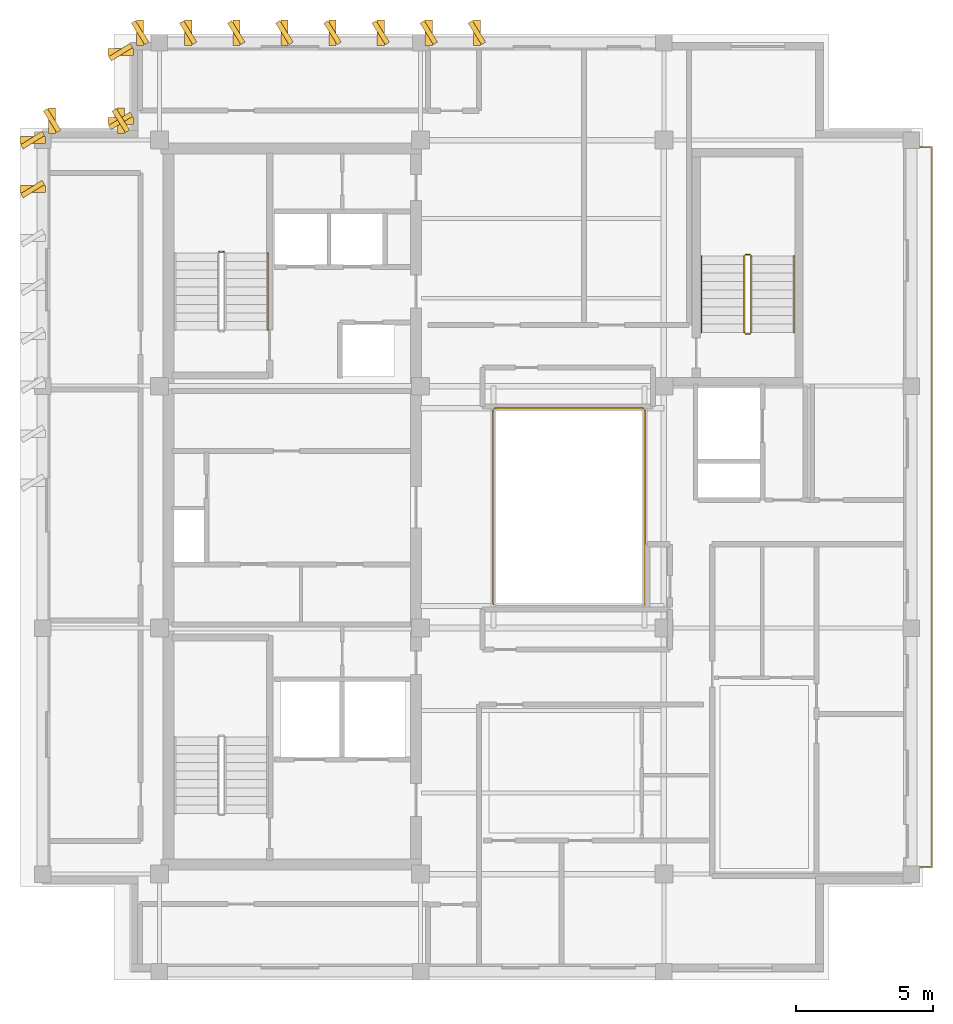
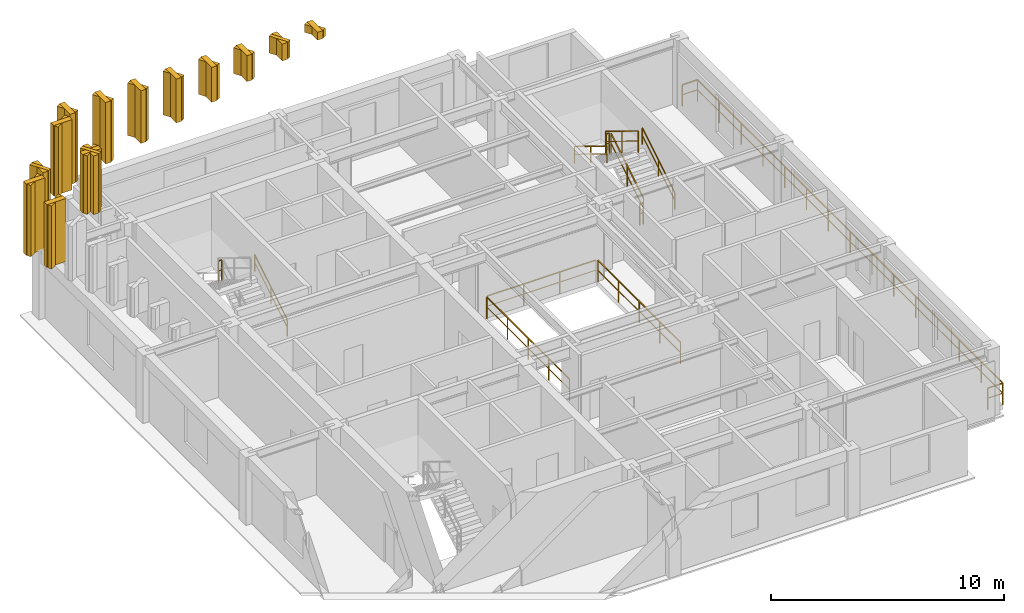
# One storey, part 9 of 9: 14 coverings, 14 shading devices, 12 railings.
"""IFC4 building model written with IfcOpenShell, lengths in metres."""

import ifcopenshell
import ifcopenshell.guid

model = None  # the IFC model being written
_history = None  # IfcOwnerHistory: only IFC2X3 demands one
_inside = {}  # id of a spatial element -> (the spatial element, [elements in it])
_under = {}  # id of a project, library or spatial element -> (it, [spatial elements below it])
_declared = {}  # id of a project -> (the project, [libraries it declares])
_typed = {}  # id of a type object -> (the type object, [elements of that type])
_made_of = {}  # id of a material, layer set ... -> (it, [elements and type objects made of it])


def new_model(schema):
    """Start an empty IFC model of exactly this schema.

    Asked for "IFC4X3", IfcOpenShell would pick the latest addendum, in which some entities
    have other attributes; the version numbers below select the first issue.
    IFC2X3 requires an IfcOwnerHistory on every rooted entity: one is made here for all.
    """
    global model, _history
    if schema == "IFC4X3":
        model = ifcopenshell.file(schema_version=(4, 3, 0, 0))
    else:
        model = ifcopenshell.file(schema=schema)
    _inside.clear()
    _under.clear()
    _declared.clear()
    _typed.clear()
    _made_of.clear()
    _history = None
    if model.schema == "IFC2X3":
        org = make("IfcOrganization", Name="unknown")
        user = make(
            "IfcPersonAndOrganization",
            ThePerson=make("IfcPerson", FamilyName="unknown"),
            TheOrganization=org,
        )
        app = make(
            "IfcApplication",
            ApplicationDeveloper=org,
            Version="unknown",
            ApplicationFullName="unknown",
            ApplicationIdentifier="unknown",
        )
        _history = make(
            "IfcOwnerHistory",
            OwningUser=user,
            OwningApplication=app,
            ChangeAction="ADDED",
            CreationDate=0,
        )
    return model


def make(cls, **values):
    """One entity of the class cls with the attributes given. An attribute that is None is left unset."""
    return model.create_entity(
        cls, **{name: value for name, value in values.items() if value is not None}
    )


def rooted(cls, **values):
    """An entity with a GlobalId (a new one), such as an element, a storey or a relation."""
    return make(cls, GlobalId=ifcopenshell.guid.new(), OwnerHistory=_history, **values)


def si_unit(unit_type, name, prefix=None):
    """IfcSIUnit, for example si_unit("LENGTHUNIT", "METRE", prefix="MILLI")."""
    return make("IfcSIUnit", UnitType=unit_type, Prefix=prefix, Name=name)


def assignment(units):
    """IfcUnitAssignment: the units of a project."""
    return None if units is None else make("IfcUnitAssignment", Units=units)


def point(xyz):
    """IfcCartesianPoint."""
    return None if xyz is None else make("IfcCartesianPoint", Coordinates=xyz)


def direction(xyz):
    """IfcDirection."""
    return None if xyz is None else make("IfcDirection", DirectionRatios=xyz)


def frame(location, z_axis=None, x_axis=None):
    """IfcAxis2Placement3D, a coordinate frame: its origin and axes. An axis left out is left unset."""
    return make(
        "IfcAxis2Placement3D",
        Location=point(location),
        Axis=direction(z_axis),
        RefDirection=direction(x_axis),
    )


def frame_2d(location, x_axis=None):
    """IfcAxis2Placement2D, a coordinate frame in the plane: its origin and x axis."""
    return make(
        "IfcAxis2Placement2D", Location=point(location), RefDirection=direction(x_axis)
    )


def origin():
    """The frame at (0, 0, 0) with its axes left unset."""
    return frame((0.0, 0.0, 0.0))


def origin_2d():
    """The frame at (0, 0) in the plane with its x axis left unset."""
    return frame_2d((0.0, 0.0))


def place(relative_to, where):
    """IfcLocalPlacement: puts the frame where relative to a parent placement (None: the world)."""
    return make(
        "IfcLocalPlacement", PlacementRelTo=relative_to, RelativePlacement=where
    )


def context(
    kind, dimensions, precision=None, world=None, true_north=None, identifier=None
):
    """IfcGeometricRepresentationContext, for example the 3D "Model" context."""
    return make(
        "IfcGeometricRepresentationContext",
        ContextIdentifier=identifier,
        ContextType=kind,
        CoordinateSpaceDimension=dimensions,
        Precision=precision,
        WorldCoordinateSystem=world,
        TrueNorth=true_north,
    )


def subcontext(parent, identifier, kind, view, scale=None):
    """IfcGeometricRepresentationSubContext, for example "Body" below "Model"."""
    return make(
        "IfcGeometricRepresentationSubContext",
        ContextIdentifier=identifier,
        ContextType=kind,
        ParentContext=parent,
        TargetScale=scale,
        TargetView=view,
    )


def project(units=None, contexts=None):
    """IfcProject with its units and contexts."""
    return rooted(
        "IfcProject",
        Name="project",
        RepresentationContexts=contexts,
        UnitsInContext=assignment(units),
    )


def spatial(cls, under=None, at=None, **own):
    """A site, building, storey or space (cls), placed at a placement, below another one or the project."""
    s = rooted(cls, ObjectPlacement=at, **own)
    if under is not None:
        _under.setdefault(under.id(), (under, []))[1].append(s)
    return s


def polyline(points):
    """IfcPolyline through the points."""
    return make("IfcPolyline", Points=[point(p) for p in points])


def profile(cls, at=None, kind="AREA", **sizes):
    """A parametric profile (cls). Its sizes go by their IFC names, for example OverallWidth=200.0."""
    return make(cls, ProfileType=kind, Position=at, **sizes)


def rectangle(**sizes):
    """IfcRectangleProfileDef."""
    return profile("IfcRectangleProfileDef", **sizes)


def outline(outer, holes=None, kind="AREA"):
    """IfcArbitraryClosedProfileDef: a profile drawn as a closed curve; with holes, ...WithVoids."""
    if holes is None:
        return make("IfcArbitraryClosedProfileDef", ProfileType=kind, OuterCurve=outer)
    return make(
        "IfcArbitraryProfileDefWithVoids",
        ProfileType=kind,
        OuterCurve=outer,
        InnerCurves=holes,
    )


def extrude(swept, where, along, depth):
    """IfcExtrudedAreaSolid: the profile swept, set in the frame where, extruded along a direction by depth."""
    return make(
        "IfcExtrudedAreaSolid",
        SweptArea=swept,
        Position=where,
        ExtrudedDirection=direction(along),
        Depth=depth,
    )


def shape(context_of_items, identifier, shape_type, items):
    """IfcShapeRepresentation: the items that make up one representation, for example the "Body"."""
    return make(
        "IfcShapeRepresentation",
        ContextOfItems=context_of_items,
        RepresentationIdentifier=identifier,
        RepresentationType=shape_type,
        Items=items,
    )


def material(Name=None, Category=None):
    """IfcMaterial."""
    return make("IfcMaterial", Name=Name, Category=Category)


def layer(
    of_material, thickness, ventilated=None, Name=None, Category=None, Priority=None
):
    """IfcMaterialLayer: one layer of a wall or slab, of a material (None: an air gap)."""
    return make(
        "IfcMaterialLayer",
        Material=of_material,
        LayerThickness=thickness,
        IsVentilated=ventilated,
        Name=Name,
        Category=Category,
        Priority=Priority,
    )


def layer_set(layers, Name=None):
    """IfcMaterialLayerSet."""
    return make("IfcMaterialLayerSet", MaterialLayers=layers, LayerSetName=Name)


def made_of(thing, what):
    """Note that an element or type object is made of a material, layer set ...; save() writes the relation."""
    if what is not None:
        _made_of.setdefault(what.id(), (what, []))[1].append(thing)
    return thing


def type_object(cls, material=None, **own):
    """A type object (cls), such as IfcWallType, which elements share."""
    return made_of(rooted(cls, **own), material)


def element(
    cls,
    number,
    at=None,
    inside=None,
    cuts=None,
    type_object=None,
    material=None,
    context=None,
    identifier="Body",
    shape_type=None,
    held_by="IfcProductDefinitionShape",
    body=None,
    shapes=None,
    **own,
):
    """One element of the class cls, such as IfcWall. Its Tag is "e" and its number.

    at: its placement. inside: the storey or other place that contains it. cuts: it is an
    opening in that element (IfcRelVoidsElement). A single representation is given by context,
    identifier, shape_type and body (its items); several are given by shapes. held_by: the class
    of the entity that holds the representations. save() writes the other relations.
    """
    e = rooted(cls, Tag="e%d" % number, ObjectPlacement=at, **own)
    if body is not None:
        shapes = [shape(context, identifier, shape_type, body)]
    if shapes is not None:
        e.Representation = make(held_by, Representations=shapes)
    if inside is not None:
        _inside.setdefault(inside.id(), (inside, []))[1].append(e)
    if cuts is not None:
        rooted(
            "IfcRelVoidsElement", RelatingBuildingElement=cuts, RelatedOpeningElement=e
        )
    if type_object is not None:
        _typed.setdefault(type_object.id(), (type_object, []))[1].append(e)
    return made_of(e, material)


def aggregate(whole, parts):
    """IfcRelAggregates: a whole, such as a stair, and the parts it consists of."""
    return rooted("IfcRelAggregates", RelatingObject=whole, RelatedObjects=parts)


def save(model, path):
    """Write the relations noted so far, then the file.

    IfcRelAggregates (storeys below a building ...), IfcRelContainedInSpatialStructure (elements
    in a storey), IfcRelDefinesByType, IfcRelAssociatesMaterial and IfcRelDeclares: one each for
    every whole, place, type object, material and project.
    """
    for whole, parts in _under.values():
        aggregate(whole, parts)
    for where, things in _inside.values():
        rooted(
            "IfcRelContainedInSpatialStructure",
            RelatedElements=things,
            RelatingStructure=where,
        )
    for kind, things in _typed.values():
        rooted("IfcRelDefinesByType", RelatedObjects=things, RelatingType=kind)
    for what, things in _made_of.values():
        rooted("IfcRelAssociatesMaterial", RelatedObjects=things, RelatingMaterial=what)
    for by, libraries in _declared.values():
        rooted("IfcRelDeclares", RelatingContext=by, RelatedDefinitions=libraries)
    model.write(path)


model = new_model("IFC4")

# Units and contexts
model_context = context("Model", 3, precision=1e-05, world=origin(), true_north=direction((0.0, 1.0)))
body_context = subcontext(model_context, "Body", "Model", "MODEL_VIEW")
ifc_project = project(units=[si_unit("LENGTHUNIT", "METRE"), si_unit("AREAUNIT", "SQUARE_METRE"), si_unit("VOLUMEUNIT", "CUBIC_METRE"), si_unit("PLANEANGLEUNIT", "RADIAN"), si_unit("MASSUNIT", "GRAM", prefix="KILO")], contexts=[model_context])

# Site, building, storey
site_placement = place(None, origin())
site = spatial("IfcSite", under=ifc_project, at=site_placement, CompositionType="ELEMENT")
building_placement = place(site_placement, origin())
building = spatial("IfcBuilding", under=site, at=building_placement, Name="Kundavana Baori Tower", CompositionType="ELEMENT")
storey_placement = place(building_placement, frame((0.0, 0.0, 342.89990234375)))
storey = spatial("IfcBuildingStorey", under=building, at=storey_placement, Name="L85", CompositionType="ELEMENT", Elevation=342.89990234375)

# Coverings
ifc_material_1 = material(Name="Cream-White Makrana Limestone on Concrete C40/50", Category="masonry")
ifc_layer = layer(ifc_material_1, 0.239990234375, Name="COV-SAIL-FIN")
ifc_layer_set = layer_set([ifc_layer], Name="Cream-White Makrana Limestone on Concrete C40/50")
covering_type = type_object("IfcCoveringType", Name="COV-SAIL-FIN", PredefinedType="CLADDING", material=ifc_layer_set)
covering_1_placement = place(storey_placement, frame((0.0, 0.0, 6.786865234375)))
element("IfcCovering", 1, at=covering_1_placement, inside=storey, type_object=covering_type, Name="L85 Climbing Makrana White Limestone Sail Fin 047", PredefinedType="CLADDING", context=body_context, shape_type="SweptSolid", body=[
    extrude(outline(polyline([(26.8701171875, 45.39990234375), (27.1298828125, 45.39990234375), (27.1298828125, 46.320068359375), (26.8701171875, 46.320068359375), (26.8701171875, 45.39990234375)])), origin(), (0.0, 0.0, 1.0), 0.413330078125),
])
covering_2_placement = place(storey_placement, frame((0.0, 0.0, 6.313720703125)))
element("IfcCovering", 2, at=covering_2_placement, inside=storey, type_object=covering_type, Name="L85 Climbing Makrana White Limestone Sail Fin 048", PredefinedType="CLADDING", context=body_context, shape_type="SweptSolid", body=[
    extrude(outline(polyline([(25.1201171875, 45.39990234375), (25.3798828125, 45.39990234375), (25.3798828125, 46.320068359375), (25.1201171875, 46.320068359375), (25.1201171875, 45.39990234375)])), origin(), (0.0, 0.0, 1.0), 0.886474609375),
])
covering_3_placement = place(storey_placement, frame((0.0, 0.0, 5.84326171875)))
element("IfcCovering", 3, at=covering_3_placement, inside=storey, type_object=covering_type, Name="L85 Climbing Makrana White Limestone Sail Fin 049", PredefinedType="CLADDING", context=body_context, shape_type="SweptSolid", body=[
    extrude(outline(polyline([(23.3701171875, 45.39990234375), (23.6298828125, 45.39990234375), (23.6298828125, 46.320068359375), (23.3701171875, 46.320068359375), (23.3701171875, 45.39990234375)])), origin(), (0.0, 0.0, 1.0), 1.35693359375),
])
covering_4_placement = place(storey_placement, frame((0.0, 0.0, 5.375244140625)))
element("IfcCovering", 4, at=covering_4_placement, inside=storey, type_object=covering_type, Name="L85 Climbing Makrana White Limestone Sail Fin 050", PredefinedType="CLADDING", context=body_context, shape_type="SweptSolid", body=[
    extrude(outline(polyline([(21.6201171875, 45.39990234375), (21.8798828125, 45.39990234375), (21.8798828125, 46.320068359375), (21.6201171875, 46.320068359375), (21.6201171875, 45.39990234375)])), origin(), (0.0, 0.0, 1.0), 1.824951171875),
])
covering_5_placement = place(storey_placement, frame((0.0, 0.0, 4.90966796875)))
element("IfcCovering", 5, at=covering_5_placement, inside=storey, type_object=covering_type, Name="L85 Climbing Makrana White Limestone Sail Fin 051", PredefinedType="CLADDING", context=body_context, shape_type="SweptSolid", body=[
    extrude(outline(polyline([(19.8701171875, 45.39990234375), (20.1298828125, 45.39990234375), (20.1298828125, 46.320068359375), (19.8701171875, 46.320068359375), (19.8701171875, 45.39990234375)])), origin(), (0.0, 0.0, 1.0), 2.29052734375),
])
covering_6_placement = place(storey_placement, frame((0.0, 0.0, 4.446044921875)))
element("IfcCovering", 6, at=covering_6_placement, inside=storey, type_object=covering_type, Name="L85 Climbing Makrana White Limestone Sail Fin 052", PredefinedType="CLADDING", context=body_context, shape_type="SweptSolid", body=[
    extrude(outline(polyline([(18.1201171875, 45.39990234375), (18.3798828125, 45.39990234375), (18.3798828125, 46.320068359375), (18.1201171875, 46.320068359375), (18.1201171875, 45.39990234375)])), origin(), (0.0, 0.0, 1.0), 2.754150390625),
])
covering_7_placement = place(storey_placement, frame((0.0, 0.0, 3.98486328125)))
element("IfcCovering", 7, at=covering_7_placement, inside=storey, type_object=covering_type, Name="L85 Climbing Makrana White Limestone Sail Fin 053", PredefinedType="CLADDING", context=body_context, shape_type="SweptSolid", body=[
    extrude(outline(polyline([(16.3701171875, 45.39990234375), (16.6298828125, 45.39990234375), (16.6298828125, 46.320068359375), (16.3701171875, 46.320068359375), (16.3701171875, 45.39990234375)])), origin(), (0.0, 0.0, 1.0), 3.21533203125),
])
covering_8_placement = place(storey_placement, frame((0.0, 0.0, 3.525634765625)))
element("IfcCovering", 8, at=covering_8_placement, inside=storey, type_object=covering_type, Name="L85 Climbing Makrana White Limestone Sail Fin 054", PredefinedType="CLADDING", context=body_context, shape_type="SweptSolid", body=[
    extrude(outline(polyline([(14.6201171875, 45.39990234375), (14.8798828125, 45.39990234375), (14.8798828125, 46.320068359375), (14.6201171875, 46.320068359375), (14.6201171875, 45.39990234375)])), origin(), (0.0, 0.0, 1.0), 3.674560546875),
])
covering_9_placement = place(storey_placement, frame((0.0, 0.0, 3.51953125)))
element("IfcCovering", 9, at=covering_9_placement, inside=storey, type_object=covering_type, Name="L85 Climbing Makrana White Limestone Sail Fin 055", PredefinedType="CLADDING", context=body_context, shape_type="SweptSolid", body=[
    extrude(outline(polyline([(13.580078125, 45.02001953125), (14.5, 45.02001953125), (14.5, 45.280029296875), (13.580078125, 45.280029296875), (13.580078125, 45.02001953125)])), origin(), (0.0, 0.0, 1.0), 3.6806640625),
])
covering_10_placement = place(storey_placement, frame((0.0, 0.0, 4.13330078125)))
element("IfcCovering", 10, at=covering_10_placement, inside=storey, type_object=covering_type, Name="L85 Climbing Makrana White Limestone Sail Fin 056", PredefinedType="CLADDING", context=body_context, shape_type="SweptSolid", body=[
    extrude(outline(polyline([(13.580078125, 42.52001953125), (14.5, 42.52001953125), (14.5, 42.780029296875), (13.580078125, 42.780029296875), (13.580078125, 42.52001953125)])), origin(), (0.0, 0.0, 1.0), 3.06689453125),
])
covering_11_placement = place(storey_placement, frame((0.0, 0.0, 4.12744140625)))
element("IfcCovering", 11, at=covering_11_placement, inside=storey, type_object=covering_type, Name="L85 Climbing Makrana White Limestone Sail Fin 057", PredefinedType="CLADDING", context=body_context, shape_type="SweptSolid", body=[
    extrude(outline(polyline([(13.919921875, 42.199951171875), (14.179931640625, 42.199951171875), (14.179931640625, 43.1201171875), (13.919921875, 43.1201171875), (13.919921875, 42.199951171875)])), origin(), (0.0, 0.0, 1.0), 3.07275390625),
])
covering_12_placement = place(storey_placement, frame((0.0, 0.0, 3.470947265625)))
element("IfcCovering", 12, at=covering_12_placement, inside=storey, type_object=covering_type, Name="L85 Climbing Makrana White Limestone Sail Fin 058", PredefinedType="CLADDING", context=body_context, shape_type="SweptSolid", body=[
    extrude(outline(polyline([(11.419921875, 42.199951171875), (11.679931640625, 42.199951171875), (11.679931640625, 43.1201171875), (11.419921875, 43.1201171875), (11.419921875, 42.199951171875)])), origin(), (0.0, 0.0, 1.0), 3.729248046875),
])
covering_13_placement = place(storey_placement, frame((0.0, 0.0, 3.465087890625)))
element("IfcCovering", 13, at=covering_13_placement, inside=storey, type_object=covering_type, Name="L85 Climbing Makrana White Limestone Sail Fin 059", PredefinedType="CLADDING", context=body_context, shape_type="SweptSolid", body=[
    extrude(outline(polyline([(10.3798828125, 41.820068359375), (11.300048828125, 41.820068359375), (11.300048828125, 42.080078125), (10.3798828125, 42.080078125), (10.3798828125, 41.820068359375)])), origin(), (0.0, 0.0, 1.0), 3.735107421875),
])
covering_14_placement = place(storey_placement, frame((0.0, 0.0, 3.901611328125)))
element("IfcCovering", 14, at=covering_14_placement, inside=storey, type_object=covering_type, Name="L85 Climbing Makrana White Limestone Sail Fin 060", PredefinedType="CLADDING", context=body_context, shape_type="SweptSolid", body=[
    extrude(outline(polyline([(10.3798828125, 40.0400390625), (11.300048828125, 40.0400390625), (11.300048828125, 40.300048828125), (10.3798828125, 40.300048828125), (10.3798828125, 40.0400390625)])), origin(), (0.0, 0.0, 1.0), 3.298583984375),
])

# Railings
ifc_material_2 = material(Name="Architectural Patinated Bronze Metalwork")
railing_type_1 = type_object("IfcRailingType", Name="RL-BAL-1150", PredefinedType="BALUSTRADE", material=ifc_material_2)
railing_1_placement = place(storey_placement, frame((42.800048828125, 41.699951171875, 0.0)))
element("IfcRailing", 15, at=railing_1_placement, inside=storey, type_object=railing_type_1, Name="L85 Sky Terrace Guard Balustrade E", PredefinedType="BALUSTRADE", context=body_context, shape_type="SweptSolid", body=[
    extrude(rectangle(XDim=0.048095703125, YDim=0.048095703125, at=origin_2d()), frame((0.0, 0.0, 1.1259765625), z_axis=(1.0, 0.0, 0.0), x_axis=(0.0, 1.0, 0.0)), (0.0, 0.0, 1.0), 0.75),
    extrude(rectangle(XDim=0.03125, YDim=0.03125, at=origin_2d()), frame((0.0, 0.0, 0.597900390625), z_axis=(1.0, 0.0, 0.0), x_axis=(0.0, 1.0, 0.0)), (0.0, 0.0, 1.0), 0.75),
    extrude(rectangle(XDim=0.048095703125, YDim=0.048095703125, at=origin_2d()), frame((0.75, 0.0, 1.1259765625), z_axis=(0.0, -1.0, 0.0), x_axis=(1.0, 0.0, 0.0)), (0.0, 0.0, 1.0), 26.199951171875),
    extrude(rectangle(XDim=0.03125, YDim=0.03125, at=origin_2d()), frame((0.75, 0.0, 0.597900390625), z_axis=(0.0, -1.0, 0.0), x_axis=(1.0, 0.0, 0.0)), (0.0, 0.0, 1.0), 26.199951171875),
    extrude(rectangle(XDim=0.048095703125, YDim=0.048095703125, at=origin_2d()), frame((0.75, -26.199951171875, 1.1259765625), z_axis=(-1.0, 0.0, 0.0), x_axis=(0.0, -1.0, 0.0)), (0.0, 0.0, 1.0), 0.75),
    extrude(rectangle(XDim=0.03125, YDim=0.03125, at=origin_2d()), frame((0.75, -26.199951171875, 0.597900390625), z_axis=(-1.0, 0.0, 0.0), x_axis=(0.0, -1.0, 0.0)), (0.0, 0.0, 1.0), 0.75),
    extrude(rectangle(XDim=0.0419921875, YDim=0.0419921875, at=origin_2d()), origin(), (0.0, 0.0, 1.0), 1.101806640625),
    extrude(rectangle(XDim=0.0419921875, YDim=0.0419921875, at=origin_2d()), frame((0.75, 0.0, 0.0)), (0.0, 0.0, 1.0), 1.101806640625),
    extrude(rectangle(XDim=0.0419921875, YDim=0.0419921875, at=origin_2d()), frame((0.75, -1.871337890625, 0.0)), (0.0, 0.0, 1.0), 1.101806640625),
    extrude(rectangle(XDim=0.0419921875, YDim=0.0419921875, at=origin_2d()), frame((0.75, -3.742919921875, 0.0)), (0.0, 0.0, 1.0), 1.101806640625),
    extrude(rectangle(XDim=0.0419921875, YDim=0.0419921875, at=origin_2d()), frame((0.75, -5.6142578125, 0.0)), (0.0, 0.0, 1.0), 1.101806640625),
    extrude(rectangle(XDim=0.0419921875, YDim=0.0419921875, at=origin_2d()), frame((0.75, -7.485595703125, 0.0)), (0.0, 0.0, 1.0), 1.101806640625),
    extrude(rectangle(XDim=0.0419921875, YDim=0.0419921875, at=origin_2d()), frame((0.75, -9.357177734375, 0.0)), (0.0, 0.0, 1.0), 1.101806640625),
    extrude(rectangle(XDim=0.0419921875, YDim=0.0419921875, at=origin_2d()), frame((0.75, -11.228515625, 0.0)), (0.0, 0.0, 1.0), 1.101806640625),
    extrude(rectangle(XDim=0.0419921875, YDim=0.0419921875, at=origin_2d()), frame((0.75, -13.10009765625, 0.0)), (0.0, 0.0, 1.0), 1.101806640625),
    extrude(rectangle(XDim=0.0419921875, YDim=0.0419921875, at=origin_2d()), frame((0.75, -14.971435546875, 0.0)), (0.0, 0.0, 1.0), 1.101806640625),
    extrude(rectangle(XDim=0.0419921875, YDim=0.0419921875, at=origin_2d()), frame((0.75, -16.8427734375, 0.0)), (0.0, 0.0, 1.0), 1.101806640625),
    extrude(rectangle(XDim=0.0419921875, YDim=0.0419921875, at=origin_2d()), frame((0.75, -18.71435546875, 0.0)), (0.0, 0.0, 1.0), 1.101806640625),
    extrude(rectangle(XDim=0.0419921875, YDim=0.0419921875, at=origin_2d()), frame((0.75, -20.585693359375, 0.0)), (0.0, 0.0, 1.0), 1.101806640625),
    extrude(rectangle(XDim=0.0419921875, YDim=0.0419921875, at=origin_2d()), frame((0.75, -22.45703125, 0.0)), (0.0, 0.0, 1.0), 1.101806640625),
    extrude(rectangle(XDim=0.0419921875, YDim=0.0419921875, at=origin_2d()), frame((0.75, -24.32861328125, 0.0)), (0.0, 0.0, 1.0), 1.101806640625),
    extrude(rectangle(XDim=0.0419921875, YDim=0.0419921875, at=origin_2d()), frame((0.75, -26.199951171875, 0.0)), (0.0, 0.0, 1.0), 1.101806640625),
    extrude(rectangle(XDim=0.0419921875, YDim=0.0419921875, at=origin_2d()), frame((0.0, -26.199951171875, 0.0)), (0.0, 0.0, 1.0), 1.101806640625),
])
ifc_material_3 = material(Name="Architectural Patinated Bronze Metalwork")
railing_type_2 = type_object("IfcRailingType", Name="RL-GRD-1150", PredefinedType="GUARDRAIL", material=ifc_material_3)
railing_2_placement = place(storey_placement, frame((17.7900390625, 37.889892578125, 1.900146484375)))
element("IfcRailing", 16, at=railing_2_placement, inside=storey, type_object=railing_type_2, Name="L85 ST2 stair guard 2", PredefinedType="GUARDRAIL", context=body_context, shape_type="SweptSolid", body=[
    extrude(rectangle(XDim=0.048095703125, YDim=0.048095703125, at=origin_2d()), frame((0.0, 0.0, 1.1259765625), z_axis=(-1.0, 0.0, 0.0), x_axis=(0.0, -1.0, 0.0)), (0.0, 0.0, 1.0), 0.16015625),
    extrude(rectangle(XDim=0.03125, YDim=0.03125, at=origin_2d()), frame((0.0, 0.0, 0.597900390625), z_axis=(-1.0, 0.0, 0.0), x_axis=(0.0, -1.0, 0.0)), (0.0, 0.0, 1.0), 0.16015625),
    extrude(rectangle(XDim=0.0419921875, YDim=0.0419921875, at=origin_2d()), origin(), (0.0, 0.0, 1.0), 1.101806640625),
    extrude(rectangle(XDim=0.0419921875, YDim=0.0419921875, at=origin_2d()), frame((-0.16015625, 0.0, 0.0)), (0.0, 0.0, 1.0), 1.101806640625),
])
railing_3_placement = place(storey_placement, frame((36.97998046875, 34.949951171875, 0.190185546875)))
element("IfcRailing", 17, at=railing_3_placement, inside=storey, type_object=railing_type_2, Name="L85 ST3 stair guard 1", PredefinedType="GUARDRAIL", context=body_context, shape_type="SweptSolid", body=[
    extrude(rectangle(XDim=0.048095703125, YDim=0.048095703125, at=origin_2d()), frame((0.0, 0.0, 1.1259765625), z_axis=(0.0, 0.852609830418, 0.522548061975), x_axis=(-1.0, 0.0, 0.0)), (0.0, 0.0, 1.0), 3.2724609375),
    extrude(rectangle(XDim=0.03125, YDim=0.03125, at=origin_2d()), frame((0.0, 0.0, 0.597900390625), z_axis=(0.0, 0.852609830418, 0.522548061975), x_axis=(-1.0, 0.0, 0.0)), (0.0, 0.0, 1.0), 3.2724609375),
    extrude(rectangle(XDim=0.0419921875, YDim=0.0419921875, at=origin_2d()), origin(), (0.0, 0.0, 1.0), 1.101806640625),
    extrude(rectangle(XDim=0.0419921875, YDim=0.0419921875, at=origin_2d()), frame((0.0, 1.39501953125, 0.85498046875)), (0.0, 0.0, 1.0), 1.101806640625),
    extrude(rectangle(XDim=0.0419921875, YDim=0.0419921875, at=origin_2d()), frame((0.0, 2.7900390625, 1.7099609375)), (0.0, 0.0, 1.0), 1.101806640625),
])
railing_4_placement = place(storey_placement, frame((36.929931640625, 37.7900390625, 1.900146484375)))
element("IfcRailing", 18, at=railing_4_placement, inside=storey, type_object=railing_type_2, Name="L85 ST3 stair guard 2", PredefinedType="GUARDRAIL", context=body_context, shape_type="SweptSolid", body=[
    extrude(rectangle(XDim=0.048095703125, YDim=0.048095703125, at=origin_2d()), frame((0.0, 0.0, 1.1259765625), z_axis=(-1.0, 0.0, 0.0), x_axis=(0.0, -1.0, 0.0)), (0.0, 0.0, 1.0), 0.159912109375),
    extrude(rectangle(XDim=0.03125, YDim=0.03125, at=origin_2d()), frame((0.0, 0.0, 0.597900390625), z_axis=(-1.0, 0.0, 0.0), x_axis=(0.0, -1.0, 0.0)), (0.0, 0.0, 1.0), 0.159912109375),
    extrude(rectangle(XDim=0.0419921875, YDim=0.0419921875, at=origin_2d()), origin(), (0.0, 0.0, 1.0), 1.101806640625),
    extrude(rectangle(XDim=0.0419921875, YDim=0.0419921875, at=origin_2d()), frame((-0.159912109375, 0.0, 0.0)), (0.0, 0.0, 1.0), 1.101806640625),
])
railing_5_placement = place(storey_placement, frame((36.719970703125, 37.739990234375, 2.090087890625)))
element("IfcRailing", 19, at=railing_5_placement, inside=storey, type_object=railing_type_2, Name="L85 ST3 stair guard 3", PredefinedType="GUARDRAIL", context=body_context, shape_type="SweptSolid", body=[
    extrude(rectangle(XDim=0.048095703125, YDim=0.048095703125, at=origin_2d()), frame((0.0, 0.0, 1.1259765625), z_axis=(0.0, -0.852609830418, 0.522548061975), x_axis=(1.0, 0.0, 0.0)), (0.0, 0.0, 1.0), 3.2724609375),
    extrude(rectangle(XDim=0.03125, YDim=0.03125, at=origin_2d()), frame((0.0, 0.0, 0.597900390625), z_axis=(0.0, -0.852609830418, 0.522548061975), x_axis=(1.0, 0.0, 0.0)), (0.0, 0.0, 1.0), 3.2724609375),
    extrude(rectangle(XDim=0.0419921875, YDim=0.0419921875, at=origin_2d()), origin(), (0.0, 0.0, 1.0), 1.101806640625),
    extrude(rectangle(XDim=0.0419921875, YDim=0.0419921875, at=origin_2d()), frame((0.0, -1.39501953125, 0.85498046875)), (0.0, 0.0, 1.0), 1.101806640625),
    extrude(rectangle(XDim=0.0419921875, YDim=0.0419921875, at=origin_2d()), frame((0.0, -2.7900390625, 1.7099609375)), (0.0, 0.0, 1.0), 1.101806640625),
])
railing_6_placement = place(storey_placement, frame((36.929931640625, 34.89990234375, 0.0)))
element("IfcRailing", 20, at=railing_6_placement, inside=storey, type_object=railing_type_2, Name="L85 ST3 stair guard 4", PredefinedType="GUARDRAIL", context=body_context, shape_type="SweptSolid", body=[
    extrude(rectangle(XDim=0.048095703125, YDim=0.048095703125, at=origin_2d()), frame((0.0, 0.0, 1.1259765625), z_axis=(-1.0, 0.0, 0.0), x_axis=(0.0, -1.0, 0.0)), (0.0, 0.0, 1.0), 0.159912109375),
    extrude(rectangle(XDim=0.03125, YDim=0.03125, at=origin_2d()), frame((0.0, 0.0, 0.597900390625), z_axis=(-1.0, 0.0, 0.0), x_axis=(0.0, -1.0, 0.0)), (0.0, 0.0, 1.0), 0.159912109375),
    extrude(rectangle(XDim=0.0419921875, YDim=0.0419921875, at=origin_2d()), origin(), (0.0, 0.0, 1.0), 1.101806640625),
    extrude(rectangle(XDim=0.0419921875, YDim=0.0419921875, at=origin_2d()), frame((-0.159912109375, 0.0, 0.0)), (0.0, 0.0, 1.0), 1.101806640625),
])
railing_7_placement = place(storey_placement, frame((33.10009765625, 25.06005859375, 0.0)))
element("IfcRailing", 21, at=railing_7_placement, inside=storey, type_object=railing_type_2, Name="L85 Atrium Void Perimeter Guardrail E", PredefinedType="GUARDRAIL", context=body_context, shape_type="SweptSolid", body=[
    extrude(rectangle(XDim=0.048095703125, YDim=0.048095703125, at=origin_2d()), frame((0.0, 0.0, 1.1259765625), z_axis=(0.0, 1.0, 0.0), x_axis=(-1.0, 0.0, 0.0)), (0.0, 0.0, 1.0), 7.079833984375),
    extrude(rectangle(XDim=0.03125, YDim=0.03125, at=origin_2d()), frame((0.0, 0.0, 0.597900390625), z_axis=(0.0, 1.0, 0.0), x_axis=(-1.0, 0.0, 0.0)), (0.0, 0.0, 1.0), 7.079833984375),
    extrude(rectangle(XDim=0.0419921875, YDim=0.0419921875, at=origin_2d()), origin(), (0.0, 0.0, 1.0), 1.101806640625),
    extrude(rectangle(XDim=0.0419921875, YDim=0.0419921875, at=origin_2d()), frame((0.0, 1.77001953125, 0.0)), (0.0, 0.0, 1.0), 1.101806640625),
    extrude(rectangle(XDim=0.0419921875, YDim=0.0419921875, at=origin_2d()), frame((0.0, 3.5400390625, 0.0)), (0.0, 0.0, 1.0), 1.101806640625),
    extrude(rectangle(XDim=0.0419921875, YDim=0.0419921875, at=origin_2d()), frame((0.0, 5.309814453125, 0.0)), (0.0, 0.0, 1.0), 1.101806640625),
    extrude(rectangle(XDim=0.0419921875, YDim=0.0419921875, at=origin_2d()), frame((0.0, 7.079833984375, 0.0)), (0.0, 0.0, 1.0), 1.101806640625),
])
railing_8_placement = place(storey_placement, frame((33.0400390625, 32.199951171875, 0.0)))
element("IfcRailing", 22, at=railing_8_placement, inside=storey, type_object=railing_type_2, Name="L85 Atrium Void Perimeter Guardrail N", PredefinedType="GUARDRAIL", context=body_context, shape_type="SweptSolid", body=[
    extrude(rectangle(XDim=0.048095703125, YDim=0.048095703125, at=origin_2d()), frame((0.0, 0.0, 1.1259765625), z_axis=(-1.0, 0.0, 0.0), x_axis=(0.0, -1.0, 0.0)), (0.0, 0.0, 1.0), 5.380126953125),
    extrude(rectangle(XDim=0.03125, YDim=0.03125, at=origin_2d()), frame((0.0, 0.0, 0.597900390625), z_axis=(-1.0, 0.0, 0.0), x_axis=(0.0, -1.0, 0.0)), (0.0, 0.0, 1.0), 5.380126953125),
    extrude(rectangle(XDim=0.0419921875, YDim=0.0419921875, at=origin_2d()), origin(), (0.0, 0.0, 1.0), 1.101806640625),
    extrude(rectangle(XDim=0.0419921875, YDim=0.0419921875, at=origin_2d()), frame((-1.79345703125, 0.0, 0.0)), (0.0, 0.0, 1.0), 1.101806640625),
    extrude(rectangle(XDim=0.0419921875, YDim=0.0419921875, at=origin_2d()), frame((-3.586669921875, 0.0, 0.0)), (0.0, 0.0, 1.0), 1.101806640625),
    extrude(rectangle(XDim=0.0419921875, YDim=0.0419921875, at=origin_2d()), frame((-5.380126953125, 0.0, 0.0)), (0.0, 0.0, 1.0), 1.101806640625),
])
railing_9_placement = place(storey_placement, frame((27.60009765625, 32.139892578125, 0.0)))
element("IfcRailing", 23, at=railing_9_placement, inside=storey, type_object=railing_type_2, Name="L85 Atrium Void Perimeter Guardrail W", PredefinedType="GUARDRAIL", context=body_context, shape_type="SweptSolid", body=[
    extrude(rectangle(XDim=0.048095703125, YDim=0.048095703125, at=origin_2d()), frame((0.0, 0.0, 1.1259765625), z_axis=(0.0, -1.0, 0.0), x_axis=(1.0, 0.0, 0.0)), (0.0, 0.0, 1.0), 7.079833984375),
    extrude(rectangle(XDim=0.03125, YDim=0.03125, at=origin_2d()), frame((0.0, 0.0, 0.597900390625), z_axis=(0.0, -1.0, 0.0), x_axis=(1.0, 0.0, 0.0)), (0.0, 0.0, 1.0), 7.079833984375),
    extrude(rectangle(XDim=0.0419921875, YDim=0.0419921875, at=origin_2d()), origin(), (0.0, 0.0, 1.0), 1.101806640625),
    extrude(rectangle(XDim=0.0419921875, YDim=0.0419921875, at=origin_2d()), frame((0.0, -1.77001953125, 0.0)), (0.0, 0.0, 1.0), 1.101806640625),
    extrude(rectangle(XDim=0.0419921875, YDim=0.0419921875, at=origin_2d()), frame((0.0, -3.5400390625, 0.0)), (0.0, 0.0, 1.0), 1.101806640625),
    extrude(rectangle(XDim=0.0419921875, YDim=0.0419921875, at=origin_2d()), frame((0.0, -5.309814453125, 0.0)), (0.0, 0.0, 1.0), 1.101806640625),
    extrude(rectangle(XDim=0.0419921875, YDim=0.0419921875, at=origin_2d()), frame((0.0, -7.079833984375, 0.0)), (0.0, 0.0, 1.0), 1.101806640625),
])
ifc_material_4 = material(Name="Architectural Patinated Bronze Metalwork")
railing_type_3 = type_object("IfcRailingType", Name="RL-HND-920", PredefinedType="HANDRAIL", material=ifc_material_4)
for number, where, name in (
    (24, (19.389892578125, 35.050048828125, 0.190185546875), "L85 ST2 stair handrail 1"),
    (25, (38.530029296875, 34.949951171875, 0.190185546875), "L85 ST3 stair handrail 1"),
):
    element("IfcRailing", number, at=place(storey_placement, frame(where)), inside=storey, type_object=railing_type_3, Name=name, PredefinedType="HANDRAIL", context=body_context, shape_type="SweptSolid", body=[
        extrude(rectangle(XDim=0.048095703125, YDim=0.048095703125, at=origin_2d()), frame((0.0, 0.0, 0.8759765625), z_axis=(0.0, 0.852609830418, 0.522548061975), x_axis=(-1.0, 0.0, 0.0)), (0.0, 0.0, 1.0), 3.2724609375),
        extrude(rectangle(XDim=0.03125, YDim=0.03125, at=origin_2d()), frame((0.0, 0.0, 0.468017578125), z_axis=(0.0, 0.852609830418, 0.522548061975), x_axis=(-1.0, 0.0, 0.0)), (0.0, 0.0, 1.0), 3.2724609375),
        extrude(rectangle(XDim=0.0419921875, YDim=0.0419921875, at=origin_2d()), origin(), (0.0, 0.0, 1.0), 0.851806640625),
        extrude(rectangle(XDim=0.0419921875, YDim=0.0419921875, at=origin_2d()), frame((0.0, 1.39501953125, 0.85498046875)), (0.0, 0.0, 1.0), 0.851806640625),
        extrude(rectangle(XDim=0.0419921875, YDim=0.0419921875, at=origin_2d()), frame((0.0, 2.7900390625, 1.7099609375)), (0.0, 0.0, 1.0), 0.851806640625),
    ])
railing_10_placement = place(storey_placement, frame((35.169921875, 37.739990234375, 2.090087890625)))
element("IfcRailing", 26, at=railing_10_placement, inside=storey, type_object=railing_type_3, Name="L85 ST3 stair handrail 2", PredefinedType="HANDRAIL", context=body_context, shape_type="SweptSolid", body=[
    extrude(rectangle(XDim=0.048095703125, YDim=0.048095703125, at=origin_2d()), frame((0.0, 0.0, 0.8759765625), z_axis=(0.0, -0.852609830418, 0.522548061975), x_axis=(1.0, 0.0, 0.0)), (0.0, 0.0, 1.0), 3.2724609375),
    extrude(rectangle(XDim=0.03125, YDim=0.03125, at=origin_2d()), frame((0.0, 0.0, 0.468017578125), z_axis=(0.0, -0.852609830418, 0.522548061975), x_axis=(1.0, 0.0, 0.0)), (0.0, 0.0, 1.0), 3.2724609375),
    extrude(rectangle(XDim=0.0419921875, YDim=0.0419921875, at=origin_2d()), origin(), (0.0, 0.0, 1.0), 0.851806640625),
    extrude(rectangle(XDim=0.0419921875, YDim=0.0419921875, at=origin_2d()), frame((0.0, -1.39501953125, 0.85498046875)), (0.0, 0.0, 1.0), 0.851806640625),
    extrude(rectangle(XDim=0.0419921875, YDim=0.0419921875, at=origin_2d()), frame((0.0, -2.7900390625, 1.7099609375)), (0.0, 0.0, 1.0), 0.851806640625),
])

# Shading devices
ifc_material_5 = material(Name="Red-Buff Dholpur Sandstone Cladding on Concrete C40/50", Category="masonry")
shading_device_type = type_object("IfcShadingDeviceType", Name="SHD-FIN-920", PredefinedType="JALOUSIE", material=ifc_material_5)
shading_device_1_placement = place(storey_placement, frame((27.0, 45.860107421875, 6.78662109375), z_axis=(0.0, 0.0, 1.0), x_axis=(0.848048096156, 0.529919264233, 0.0)))
element("IfcShadingDevice", 27, at=shading_device_1_placement, inside=storey, type_object=shading_device_type, Name="L85 Sweeping Makrana Limestone Crown Sail Blade 047", PredefinedType="JALOUSIE", context=body_context, shape_type="SweptSolid", body=[
    extrude(rectangle(XDim=0.179931640625, YDim=0.919921875, at=origin_2d()), origin(), (0.0, 0.0, 1.0), 0.413330078125),
])
shading_device_2_placement = place(storey_placement, frame((25.25, 45.860107421875, 6.31396484375), z_axis=(0.0, 0.0, 1.0), x_axis=(0.848048096156, 0.529919264233, 0.0)))
element("IfcShadingDevice", 28, at=shading_device_2_placement, inside=storey, type_object=shading_device_type, Name="L85 Sweeping Makrana Limestone Crown Sail Blade 048", PredefinedType="JALOUSIE", context=body_context, shape_type="SweptSolid", body=[
    extrude(rectangle(XDim=0.179931640625, YDim=0.919921875, at=origin_2d()), origin(), (0.0, 0.0, 1.0), 0.88623046875),
])
shading_device_3_placement = place(storey_placement, frame((23.5, 45.860107421875, 5.84326171875), z_axis=(0.0, 0.0, 1.0), x_axis=(0.848048096156, 0.529919264233, 0.0)))
element("IfcShadingDevice", 29, at=shading_device_3_placement, inside=storey, type_object=shading_device_type, Name="L85 Sweeping Makrana Limestone Crown Sail Blade 049", PredefinedType="JALOUSIE", context=body_context, shape_type="SweptSolid", body=[
    extrude(rectangle(XDim=0.179931640625, YDim=0.919921875, at=origin_2d()), origin(), (0.0, 0.0, 1.0), 1.356689453125),
])
shading_device_4_placement = place(storey_placement, frame((21.75, 45.860107421875, 5.375244140625), z_axis=(0.0, 0.0, 1.0), x_axis=(0.848048096156, 0.529919264233, 0.0)))
element("IfcShadingDevice", 30, at=shading_device_4_placement, inside=storey, type_object=shading_device_type, Name="L85 Sweeping Makrana Limestone Crown Sail Blade 050", PredefinedType="JALOUSIE", context=body_context, shape_type="SweptSolid", body=[
    extrude(rectangle(XDim=0.179931640625, YDim=0.919921875, at=origin_2d()), origin(), (0.0, 0.0, 1.0), 1.82470703125),
])
shading_device_5_placement = place(storey_placement, frame((20.0, 45.860107421875, 4.909423828125), z_axis=(0.0, 0.0, 1.0), x_axis=(0.848048096156, 0.529919264233, 0.0)))
element("IfcShadingDevice", 31, at=shading_device_5_placement, inside=storey, type_object=shading_device_type, Name="L85 Sweeping Makrana Limestone Crown Sail Blade 051", PredefinedType="JALOUSIE", context=body_context, shape_type="SweptSolid", body=[
    extrude(rectangle(XDim=0.179931640625, YDim=0.919921875, at=origin_2d()), origin(), (0.0, 0.0, 1.0), 2.29052734375),
])
shading_device_6_placement = place(storey_placement, frame((18.25, 45.860107421875, 4.446044921875), z_axis=(0.0, 0.0, 1.0), x_axis=(0.848048096156, 0.529919264233, 0.0)))
element("IfcShadingDevice", 32, at=shading_device_6_placement, inside=storey, type_object=shading_device_type, Name="L85 Sweeping Makrana Limestone Crown Sail Blade 052", PredefinedType="JALOUSIE", context=body_context, shape_type="SweptSolid", body=[
    extrude(rectangle(XDim=0.179931640625, YDim=0.919921875, at=origin_2d()), origin(), (0.0, 0.0, 1.0), 2.75390625),
])
shading_device_7_placement = place(storey_placement, frame((16.5, 45.860107421875, 3.984619140625), z_axis=(0.0, 0.0, 1.0), x_axis=(0.848048096156, 0.529919264233, 0.0)))
element("IfcShadingDevice", 33, at=shading_device_7_placement, inside=storey, type_object=shading_device_type, Name="L85 Sweeping Makrana Limestone Crown Sail Blade 053", PredefinedType="JALOUSIE", context=body_context, shape_type="SweptSolid", body=[
    extrude(rectangle(XDim=0.179931640625, YDim=0.919921875, at=origin_2d()), origin(), (0.0, 0.0, 1.0), 3.21533203125),
])
shading_device_8_placement = place(storey_placement, frame((14.75, 45.860107421875, 3.525390625), z_axis=(0.0, 0.0, 1.0), x_axis=(0.848048096156, 0.529919264233, 0.0)))
element("IfcShadingDevice", 34, at=shading_device_8_placement, inside=storey, type_object=shading_device_type, Name="L85 Sweeping Makrana Limestone Crown Sail Blade 054", PredefinedType="JALOUSIE", context=body_context, shape_type="SweptSolid", body=[
    extrude(rectangle(XDim=0.179931640625, YDim=0.919921875, at=origin_2d()), origin(), (0.0, 0.0, 1.0), 3.674560546875),
])
shading_device_9_placement = place(storey_placement, frame((14.0400390625, 45.14990234375, 3.51953125), z_axis=(0.0, 0.0, 1.0), x_axis=(-0.529919264233, 0.848048096156, 0.0)))
element("IfcShadingDevice", 35, at=shading_device_9_placement, inside=storey, type_object=shading_device_type, Name="L85 Sweeping Makrana Limestone Crown Sail Blade 055", PredefinedType="JALOUSIE", context=body_context, shape_type="SweptSolid", body=[
    extrude(rectangle(XDim=0.179931640625, YDim=0.919921875, at=origin_2d()), origin(), (0.0, 0.0, 1.0), 3.680419921875),
])
shading_device_10_placement = place(storey_placement, frame((14.0400390625, 42.64990234375, 4.13330078125), z_axis=(0.0, 0.0, 1.0), x_axis=(-0.529919264233, 0.848048096156, 0.0)))
element("IfcShadingDevice", 36, at=shading_device_10_placement, inside=storey, type_object=shading_device_type, Name="L85 Sweeping Makrana Limestone Crown Sail Blade 056", PredefinedType="JALOUSIE", context=body_context, shape_type="SweptSolid", body=[
    extrude(rectangle(XDim=0.179931640625, YDim=0.919921875, at=origin_2d()), origin(), (0.0, 0.0, 1.0), 3.066650390625),
])
shading_device_11_placement = place(storey_placement, frame((14.050048828125, 42.659912109375, 4.12744140625), z_axis=(0.0, 0.0, 1.0), x_axis=(0.848048096156, 0.529919264233, 0.0)))
element("IfcShadingDevice", 37, at=shading_device_11_placement, inside=storey, type_object=shading_device_type, Name="L85 Sweeping Makrana Limestone Crown Sail Blade 057", PredefinedType="JALOUSIE", context=body_context, shape_type="SweptSolid", body=[
    extrude(rectangle(XDim=0.179931640625, YDim=0.919921875, at=origin_2d()), origin(), (0.0, 0.0, 1.0), 3.07275390625),
])
shading_device_12_placement = place(storey_placement, frame((11.550048828125, 42.659912109375, 3.47119140625), z_axis=(0.0, 0.0, 1.0), x_axis=(0.848048096156, 0.529919264233, 0.0)))
element("IfcShadingDevice", 38, at=shading_device_12_placement, inside=storey, type_object=shading_device_type, Name="L85 Sweeping Makrana Limestone Crown Sail Blade 058", PredefinedType="JALOUSIE", context=body_context, shape_type="SweptSolid", body=[
    extrude(rectangle(XDim=0.179931640625, YDim=0.919921875, at=origin_2d()), origin(), (0.0, 0.0, 1.0), 3.72900390625),
])
shading_device_13_placement = place(storey_placement, frame((10.840087890625, 41.949951171875, 3.46484375), z_axis=(0.0, 0.0, 1.0), x_axis=(-0.529919264233, 0.848048096156, 0.0)))
element("IfcShadingDevice", 39, at=shading_device_13_placement, inside=storey, type_object=shading_device_type, Name="L85 Sweeping Makrana Limestone Crown Sail Blade 059", PredefinedType="JALOUSIE", context=body_context, shape_type="SweptSolid", body=[
    extrude(rectangle(XDim=0.179931640625, YDim=0.919921875, at=origin_2d()), origin(), (0.0, 0.0, 1.0), 3.735107421875),
])
shading_device_14_placement = place(storey_placement, frame((10.840087890625, 40.169921875, 3.9013671875), z_axis=(0.0, 0.0, 1.0), x_axis=(-0.529919264233, 0.848048096156, 0.0)))
element("IfcShadingDevice", 40, at=shading_device_14_placement, inside=storey, type_object=shading_device_type, Name="L85 Sweeping Makrana Limestone Crown Sail Blade 060", PredefinedType="JALOUSIE", context=body_context, shape_type="SweptSolid", body=[
    extrude(rectangle(XDim=0.179931640625, YDim=0.919921875, at=origin_2d()), origin(), (0.0, 0.0, 1.0), 3.298583984375),
])

save(model, "model.ifc")
